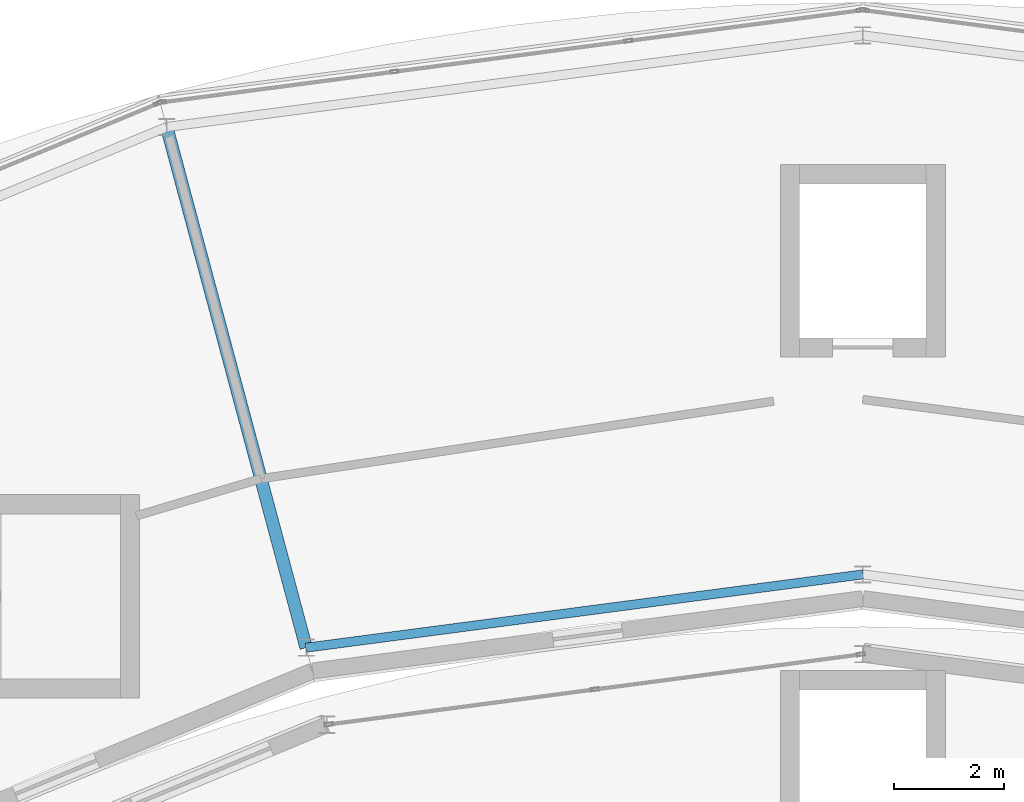
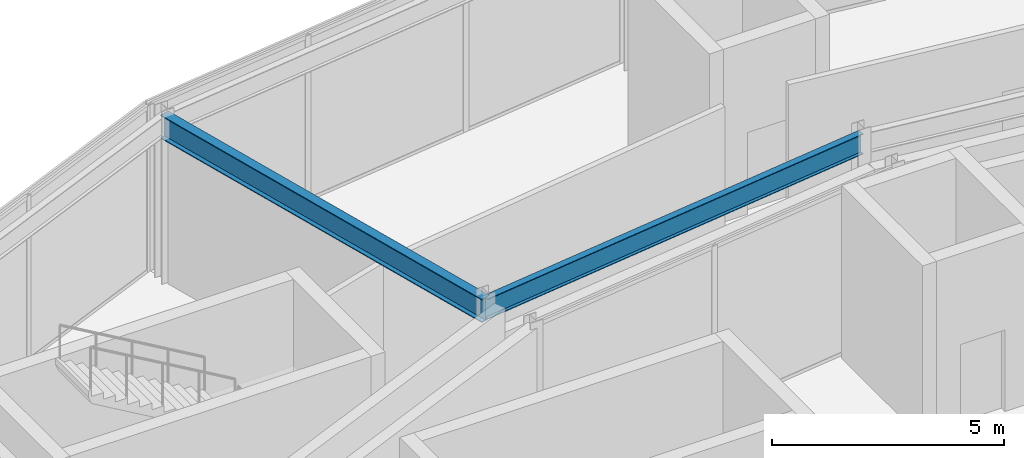
# One storey, part 49 of 116: 2 beams.
"""IFC4 building model written with IfcOpenShell, lengths in metres."""

from ifc_helpers import new_model, si_unit, direction, frame, origin, origin_2d, place, context, subcontext, project, spatial, i_section, extrude, material, material_profile, profile_set, type_object, element, save


model = new_model("IFC4")

# Units and contexts
model_context = context("Model", 3, precision=1e-05, world=origin(), true_north=direction((0.0, 1.0)))
body_context = subcontext(model_context, "Body", "Model", "MODEL_VIEW")
ifc_project = project(units=[si_unit("LENGTHUNIT", "METRE"), si_unit("AREAUNIT", "SQUARE_METRE"), si_unit("VOLUMEUNIT", "CUBIC_METRE"), si_unit("PLANEANGLEUNIT", "RADIAN"), si_unit("MASSUNIT", "GRAM", prefix="KILO")], contexts=[model_context])

# Site, building, storey
site_placement = place(None, origin())
site = spatial("IfcSite", under=ifc_project, at=site_placement, CompositionType="ELEMENT")
building_placement = place(site_placement, origin())
building = spatial("IfcBuilding", under=site, at=building_placement, Name="Almandine Court Research Institute", CompositionType="ELEMENT")
storey_placement = place(building_placement, frame((0.0, 0.0, 14.35009765625)))
storey = spatial("IfcBuildingStorey", under=building, at=storey_placement, Name="L03", CompositionType="ELEMENT", Elevation=14.35009765625)

# Beams
ifc_material = material(Name="Steel ASTM A992 Grade 50", Category="steel")
ifc_material_profile_1 = material_profile(ifc_material, i_section(OverallWidth=0.22998046875, OverallDepth=0.616943359375, WebThickness=0.012939453125, FlangeThickness=0.02197265625, at=origin_2d()), Name="W610x140")
ifc_profile_set_1 = profile_set([ifc_material_profile_1], Name="Steel ASTM A992 Grade 50")
beam_type_1 = type_object("IfcBeamType", Name="Beam-G-02", PredefinedType="BEAM", material=ifc_profile_set_1)
beam_1_placement = place(storey_placement, frame((76.8798828125, 93.76806640625, 4.06201171875), z_axis=(-0.258774274024, 0.965937821551, 0.0), x_axis=(-0.965937821551, -0.258774274024, 0.0)))
element("IfcBeam", 1, at=beam_1_placement, inside=storey, type_object=beam_type_1, Name="L03 Drum Radial Girder 07", PredefinedType="BEAM", context=body_context, shape_type="SweptSolid", body=[
    extrude(i_section(OverallWidth=0.22998046875, OverallDepth=0.616943359375, WebThickness=0.012939453125, FlangeThickness=0.02197265625, at=origin_2d()), origin(), (0.0, 0.0, 1.0), 9.799560546875),
])
ifc_material_profile_2 = material_profile(ifc_material, i_section(OverallWidth=0.166015625, OverallDepth=0.534912109375, WebThickness=0.010009765625, FlangeThickness=0.01708984375, at=origin_2d()), Name="W530x85")
ifc_profile_set_2 = profile_set([ifc_material_profile_2], Name="Steel ASTM A992 Grade 50")
beam_type_2 = type_object("IfcBeamType", Name="Beam-G-05-E", PredefinedType="SPANDREL", material=ifc_profile_set_2)
beam_2_placement = place(storey_placement, frame((87.0, 95.10009765625, 4.102783203125), z_axis=(-0.991448758831, -0.130496584681, 0.0), x_axis=(0.130496584681, -0.991448758831, 0.0)))
element("IfcBeam", 2, at=beam_2_placement, inside=storey, type_object=beam_type_2, Name="L03 Drum IN Ring Beam 06", PredefinedType="SPANDREL", context=body_context, shape_type="SweptSolid", body=[
    extrude(i_section(OverallWidth=0.166015625, OverallDepth=0.534912109375, WebThickness=0.010009765625, FlangeThickness=0.01708984375, at=origin_2d()), origin(), (0.0, 0.0, 1.0), 10.20751953125),
])

save(model, "model.ifc")
